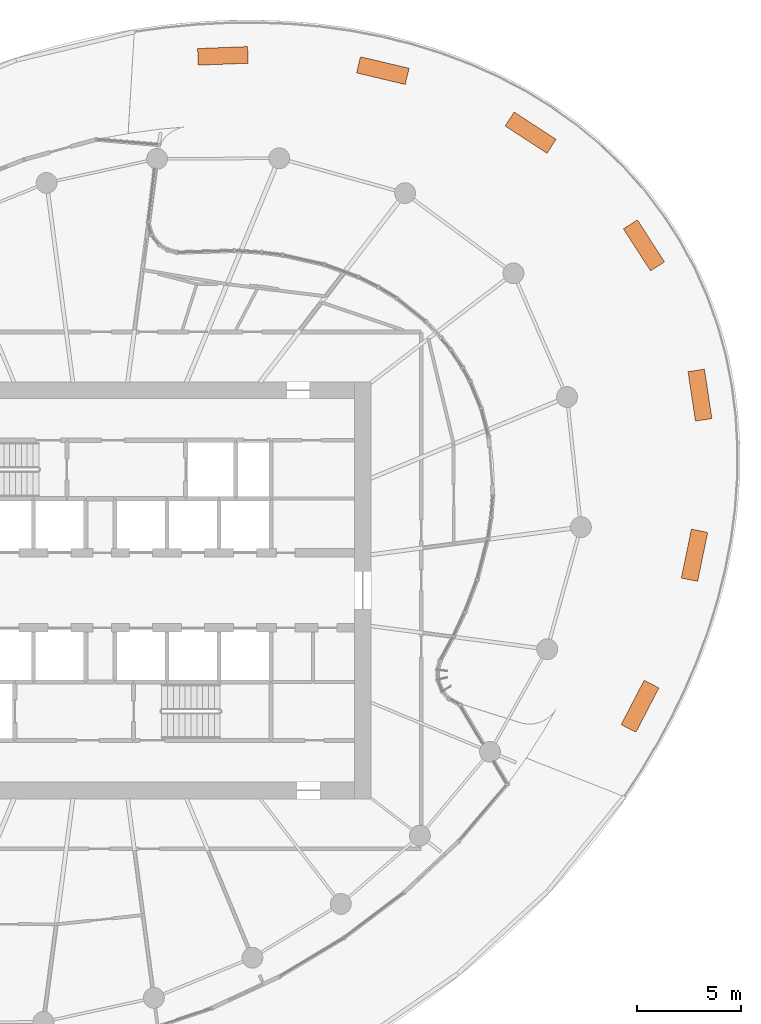
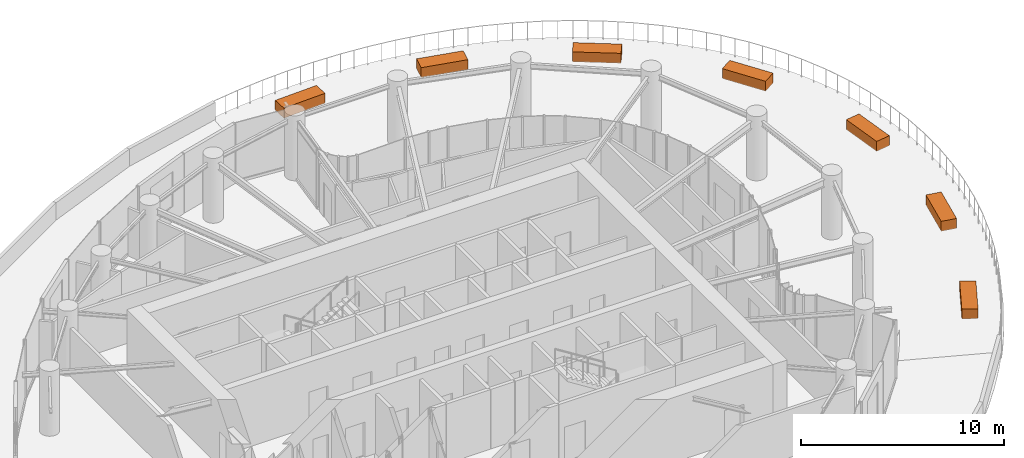
# One storey, part 21 of 21: 7 proxies.
"""IFC4 building model written with IfcOpenShell, lengths in metres."""

from ifc_helpers import new_model, si_unit, direction, frame, origin, origin_2d, place, context, subcontext, project, spatial, rectangle, extrude, source, transform, mapped, element, save


model = new_model("IFC4")

# Units and contexts
model_context = context("Model", 3, precision=1e-05, world=origin(), true_north=direction((0.0, 1.0)))
body_context = subcontext(model_context, "Body", "Model", "MODEL_VIEW")
ifc_project = project(units=[si_unit("LENGTHUNIT", "METRE"), si_unit("AREAUNIT", "SQUARE_METRE"), si_unit("VOLUMEUNIT", "CUBIC_METRE"), si_unit("PLANEANGLEUNIT", "RADIAN"), si_unit("MASSUNIT", "GRAM", prefix="KILO")], contexts=[model_context])

# Site, building, storey
site_placement = place(None, origin())
site = spatial("IfcSite", under=ifc_project, at=site_placement, CompositionType="ELEMENT")
building_placement = place(site_placement, origin())
building = spatial("IfcBuilding", under=site, at=building_placement, Name="Spindrift Exchange Tower", CompositionType="ELEMENT")
storey_placement = place(building_placement, frame((0.0, 0.0, 133.10009765625)))
storey = spatial("IfcBuildingStorey", under=building, at=storey_placement, Name="L31", CompositionType="ELEMENT", Elevation=133.10009765625)

# Proxies
shared_shape = source(origin(), body_context, "Body", "SweptSolid", [
    extrude(rectangle(XDim=2.39990234375, YDim=0.800048828125, at=origin_2d()), origin(), (0.0, 0.0, 1.0), 0.60009765625),
])
for number, where, z_axis, x_axis, name in (
    (1, (57.885498046875, 73.643798828125, -0.000244140625), (0.0, 0.0, 1.0), (0.999247019793, 0.03879939992, 0.0), "L31 PLANTER 01"),
    (2, (65.5576171875, 72.9384765625, -0.000244140625), (0.0, 0.0, 1.0), (0.973067540079, -0.230520199648, 0.0), "L31 PLANTER 02"),
    (3, (72.647216796875, 69.9609375, -0.000244140625), (0.0, 0.0, 1.0), (0.838209238928, -0.545348761597, 0.0), "L31 PLANTER 03"),
    (4, (78.08642578125, 64.552734375, -0.000244140625), (0.0, 0.0, 1.0), (0.541925317899, -0.840426647495, 0.0), "L31 PLANTER 04"),
    (5, (80.773193359375, 57.369140625, -0.000244140625), (0.0, 0.0, 1.0), (0.149138419156, -0.988816328714, 0.0), "L31 PLANTER 05"),
    (6, (80.5126953125, 49.685791015625, -0.000244140625), (0.0, 0.0, 1.0), (-0.201548060335, -0.979478626298, 0.0), "L31 PLANTER 06"),
    (7, (77.898681640625, 42.439453125, -0.000244140625), (0.0, 0.0, 1.0), (-0.460348533219, -0.887738265461, 0.0), "L31 PLANTER 07"),
):
    element("IfcBuildingElementProxy", number, at=place(storey_placement, frame(where, z_axis=z_axis, x_axis=x_axis)), inside=storey, Name=name, ObjectType="PLANTER", PredefinedType="USERDEFINED", context=body_context, shape_type="MappedRepresentation", body=[
        mapped(shared_shape, transform((0.0, 0.0, 0.0), scale=1.0)),
    ])

save(model, "model.ifc")
